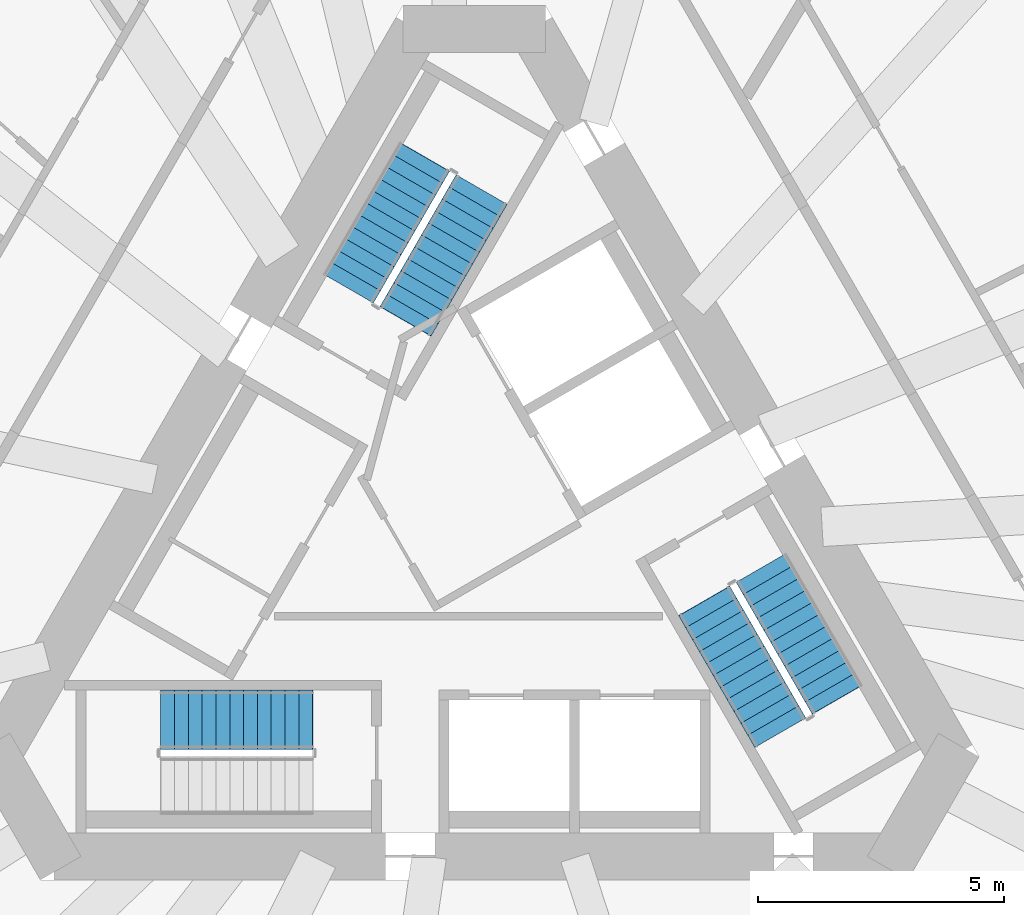
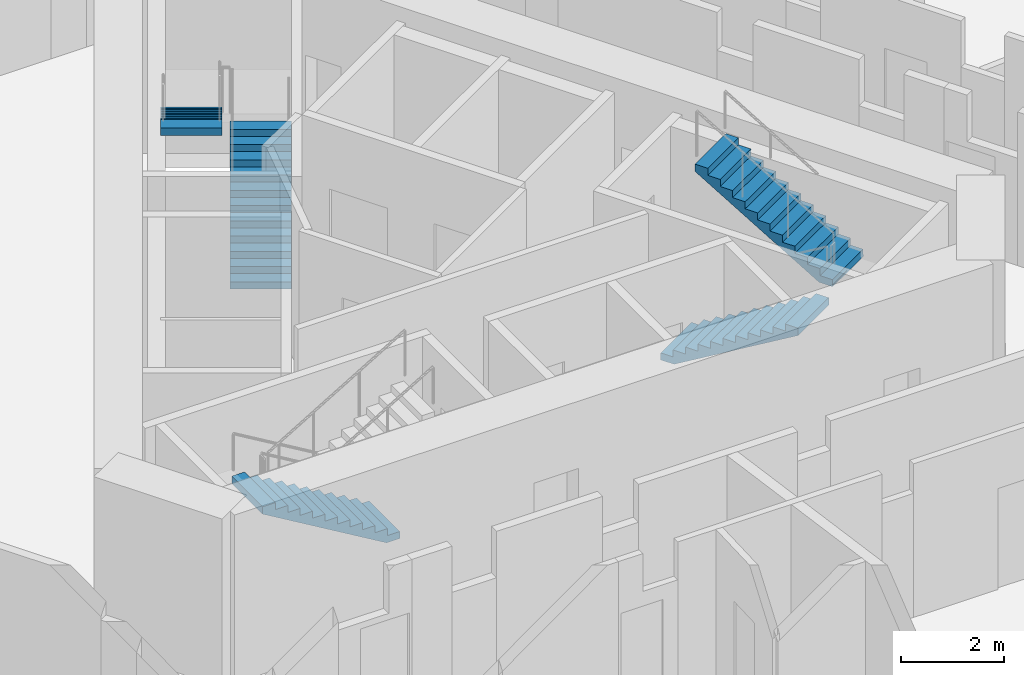
# One storey, part 10 of 13: 5 stair flights, 3 elements without a shape of their own.
"""IFC4 building model written with IfcOpenShell, lengths in metres."""

from ifc_helpers import new_model, si_unit, direction, frame, origin, place, context, subcontext, project, spatial, polyline, outline, extrude, material, layer, layer_set, type_object, element, aggregate, save


model = new_model("IFC4")

# Units and contexts
model_context = context("Model", 3, precision=1e-05, world=origin(), true_north=direction((0.0, 1.0)))
body_context = subcontext(model_context, "Body", "Model", "MODEL_VIEW")
ifc_project = project(units=[si_unit("LENGTHUNIT", "METRE"), si_unit("AREAUNIT", "SQUARE_METRE"), si_unit("VOLUMEUNIT", "CUBIC_METRE"), si_unit("PLANEANGLEUNIT", "RADIAN"), si_unit("MASSUNIT", "GRAM", prefix="KILO")], contexts=[model_context])

# Site, building, storey
site_placement = place(None, origin())
site = spatial("IfcSite", under=ifc_project, at=site_placement, CompositionType="ELEMENT")
building_placement = place(site_placement, origin())
building = spatial("IfcBuilding", under=site, at=building_placement, Name="Tramontana Tower", CompositionType="ELEMENT")
storey_placement = place(building_placement, frame((0.0, 0.0, 108.39990234375)))
storey = spatial("IfcBuildingStorey", under=building, at=storey_placement, Name="L24", CompositionType="ELEMENT", Elevation=108.39990234375)

# Stair, stair flights
ifc_material_1 = material(Name="Concrete 40 MPa", Category="concrete")
stair_type = type_object("IfcStairType", Name="EXIT STAIR 24 RISERS", PredefinedType="HALF_TURN_STAIR", material=ifc_material_1)
stair_1_placement = place(storey_placement, origin())
stair_1 = element("IfcStair", 1, at=stair_1_placement, inside=storey, type_object=stair_type, Name="L24 Exit stair ST1", PredefinedType="HALF_TURN_STAIR")
ifc_material_2 = material(Name="Concrete 40 MPa", Category="concrete")
ifc_layer = layer(ifc_material_2, 0.14990234375)
ifc_layer_set = layer_set([ifc_layer], Name="EXIT STAIR FLIGHT")
stair_flight_type = type_object("IfcStairFlightType", Name="EXIT STAIR FLIGHT", PredefinedType="STRAIGHT", material=ifc_layer_set)
stair_flight_1_placement = place(storey_placement, frame((-1.39111328125, 4.590576171875, 0.0), z_axis=(0.0, 0.0, 1.0), x_axis=(0.5, 0.866025403784, 0.0)))
stair_flight_1 = element("IfcStairFlight", 2, at=stair_flight_1_placement, type_object=stair_flight_type, Name="ST1 flight 1", NumberOfRisers=12, NumberOfTreads=11, PredefinedType="STRAIGHT", RiserHeight=0.166666667, TreadLength=0.28, context=body_context, shape_type="SweptSolid", body=[
    extrude(outline(polyline([(-0.006103515625, 0.0), (-0.006103515625, 0.0400390625), (0.0, 0.0400390625), (0.0, 0.166748046875), (0.280029296875, 0.166748046875), (0.280029296875, 0.333251953125), (0.56005859375, 0.333251953125), (0.56005859375, 0.5), (0.840087890625, 0.5), (0.840087890625, 0.666748046875), (1.1201171875, 0.666748046875), (1.1201171875, 0.833251953125), (1.39990234375, 0.833251953125), (1.39990234375, 1.0), (1.679931640625, 1.0), (1.679931640625, 1.166748046875), (1.9599609375, 1.166748046875), (1.9599609375, 1.333251953125), (2.239990234375, 1.333251953125), (2.239990234375, 1.5), (2.52001953125, 1.5), (2.52001953125, 1.666748046875), (2.800048828125, 1.666748046875), (2.800048828125, 1.833251953125), (3.080078125, 1.833251953125), (3.0859375, 1.833251953125), (3.0859375, 1.658935546875), (0.299072265625, 0.0), (-0.006103515625, 0.0)])), frame((0.0, 0.60009765625, 0.0), z_axis=(0.0, -1.0, 0.0), x_axis=(1.0, 0.0, 0.0)), (0.0, 0.0, 1.0), 1.199951171875),
])
stair_flight_2_placement = place(storey_placement, frame((-1.020263671875, 7.932861328125, 2.0), z_axis=(0.0, 0.0, 1.0), x_axis=(-0.5, -0.866025403784, 0.0)))
stair_flight_2 = element("IfcStairFlight", 3, at=stair_flight_2_placement, type_object=stair_flight_type, Name="ST1 flight 2", NumberOfRisers=12, NumberOfTreads=11, PredefinedType="STRAIGHT", RiserHeight=0.166666667, TreadLength=0.28, context=body_context, shape_type="SweptSolid", body=[
    extrude(outline(polyline([(-0.006103515625, 0.0), (-0.006103515625, 0.0400390625), (0.0, 0.0400390625), (0.0, 0.166748046875), (0.280029296875, 0.166748046875), (0.280029296875, 0.333251953125), (0.56005859375, 0.333251953125), (0.56005859375, 0.5), (0.840087890625, 0.5), (0.840087890625, 0.666748046875), (1.1201171875, 0.666748046875), (1.1201171875, 0.833251953125), (1.39990234375, 0.833251953125), (1.39990234375, 1.0), (1.679931640625, 1.0), (1.679931640625, 1.166748046875), (1.9599609375, 1.166748046875), (1.9599609375, 1.333251953125), (2.239990234375, 1.333251953125), (2.239990234375, 1.5), (2.52001953125, 1.5), (2.52001953125, 1.666748046875), (2.800048828125, 1.666748046875), (2.800048828125, 1.833251953125), (3.080078125, 1.833251953125), (3.0859375, 1.833251953125), (3.0859375, 1.658935546875), (0.299072265625, 0.0), (-0.006103515625, 0.0)])), frame((0.0, 0.60009765625, 0.0), z_axis=(0.0, -1.0, 0.0), x_axis=(1.0, 0.0, 0.0)), (0.0, 0.0, 1.0), 1.199951171875),
])
aggregate(stair_1, [stair_flight_1, stair_flight_2])

# Stair, stair flight
stair_2_placement = place(storey_placement, origin())
stair_2 = element("IfcStair", 4, at=stair_2_placement, inside=storey, type_object=stair_type, Name="L24 Exit stair ST2", PredefinedType="HALF_TURN_STAIR")
stair_flight_3_placement = place(storey_placement, frame((-3.280029296875, -3.5, 0.0), z_axis=(0.0, 0.0, 1.0), x_axis=(-1.0, 0.0, 0.0)))
stair_flight_3 = element("IfcStairFlight", 5, at=stair_flight_3_placement, type_object=stair_flight_type, Name="ST2 flight 1", NumberOfRisers=12, NumberOfTreads=11, PredefinedType="STRAIGHT", RiserHeight=0.166666667, TreadLength=0.28, context=body_context, shape_type="SweptSolid", body=[
    extrude(outline(polyline([(-0.006103515625, 0.0), (-0.006103515625, 0.0400390625), (0.0, 0.0400390625), (0.0, 0.166748046875), (0.280029296875, 0.166748046875), (0.280029296875, 0.333251953125), (0.56005859375, 0.333251953125), (0.56005859375, 0.5), (0.840087890625, 0.5), (0.840087890625, 0.666748046875), (1.1201171875, 0.666748046875), (1.1201171875, 0.833251953125), (1.39990234375, 0.833251953125), (1.39990234375, 1.0), (1.679931640625, 1.0), (1.679931640625, 1.166748046875), (1.9599609375, 1.166748046875), (1.9599609375, 1.333251953125), (2.239990234375, 1.333251953125), (2.239990234375, 1.5), (2.52001953125, 1.5), (2.52001953125, 1.666748046875), (2.800048828125, 1.666748046875), (2.800048828125, 1.833251953125), (3.080078125, 1.833251953125), (3.0859375, 1.833251953125), (3.0859375, 1.658935546875), (0.299072265625, 0.0), (-0.006103515625, 0.0)])), frame((0.0, 0.60009765625, 0.0), z_axis=(0.0, -1.0, 0.0), x_axis=(1.0, 0.0, 0.0)), (0.0, 0.0, 1.0), 1.199951171875),
])
aggregate(stair_2, [stair_flight_3])

# Stair, stair flights
stair_3_placement = place(storey_placement, origin())
stair_3 = element("IfcStair", 6, at=stair_3_placement, inside=storey, type_object=stair_type, Name="L24 Exit stair ST3", PredefinedType="HALF_TURN_STAIR")
stair_flight_4_placement = place(storey_placement, frame((4.671142578125, -1.090576171875, 0.0), z_axis=(0.0, 0.0, 1.0), x_axis=(0.5, -0.866025403784, 0.0)))
stair_flight_4 = element("IfcStairFlight", 7, at=stair_flight_4_placement, type_object=stair_flight_type, Name="ST3 flight 1", NumberOfRisers=12, NumberOfTreads=11, PredefinedType="STRAIGHT", RiserHeight=0.166666667, TreadLength=0.28, context=body_context, shape_type="SweptSolid", body=[
    extrude(outline(polyline([(-0.006103515625, 0.0), (-0.006103515625, 0.0400390625), (0.0, 0.0400390625), (0.0, 0.166748046875), (0.280029296875, 0.166748046875), (0.280029296875, 0.333251953125), (0.56005859375, 0.333251953125), (0.56005859375, 0.5), (0.840087890625, 0.5), (0.840087890625, 0.666748046875), (1.1201171875, 0.666748046875), (1.1201171875, 0.833251953125), (1.39990234375, 0.833251953125), (1.39990234375, 1.0), (1.679931640625, 1.0), (1.679931640625, 1.166748046875), (1.9599609375, 1.166748046875), (1.9599609375, 1.333251953125), (2.239990234375, 1.333251953125), (2.239990234375, 1.5), (2.52001953125, 1.5), (2.52001953125, 1.666748046875), (2.800048828125, 1.666748046875), (2.800048828125, 1.833251953125), (3.080078125, 1.833251953125), (3.0859375, 1.833251953125), (3.0859375, 1.658935546875), (0.299072265625, 0.0), (-0.006103515625, 0.0)])), frame((0.0, 0.60009765625, 0.0), z_axis=(0.0, -1.0, 0.0), x_axis=(1.0, 0.0, 0.0)), (0.0, 0.0, 1.0), 1.199951171875),
])
stair_flight_5_placement = place(storey_placement, frame((7.380126953125, -3.0830078125, 2.0), z_axis=(0.0, 0.0, 1.0), x_axis=(-0.5, 0.866025403784, 0.0)))
stair_flight_5 = element("IfcStairFlight", 8, at=stair_flight_5_placement, type_object=stair_flight_type, Name="ST3 flight 2", NumberOfRisers=12, NumberOfTreads=11, PredefinedType="STRAIGHT", RiserHeight=0.166666667, TreadLength=0.28, context=body_context, shape_type="SweptSolid", body=[
    extrude(outline(polyline([(-0.006103515625, 0.0), (-0.006103515625, 0.0400390625), (0.0, 0.0400390625), (0.0, 0.166748046875), (0.280029296875, 0.166748046875), (0.280029296875, 0.333251953125), (0.56005859375, 0.333251953125), (0.56005859375, 0.5), (0.840087890625, 0.5), (0.840087890625, 0.666748046875), (1.1201171875, 0.666748046875), (1.1201171875, 0.833251953125), (1.39990234375, 0.833251953125), (1.39990234375, 1.0), (1.679931640625, 1.0), (1.679931640625, 1.166748046875), (1.9599609375, 1.166748046875), (1.9599609375, 1.333251953125), (2.239990234375, 1.333251953125), (2.239990234375, 1.5), (2.52001953125, 1.5), (2.52001953125, 1.666748046875), (2.800048828125, 1.666748046875), (2.800048828125, 1.833251953125), (3.080078125, 1.833251953125), (3.0859375, 1.833251953125), (3.0859375, 1.658935546875), (0.299072265625, 0.0), (-0.006103515625, 0.0)])), frame((0.0, 0.60009765625, 0.0), z_axis=(0.0, -1.0, 0.0), x_axis=(1.0, 0.0, 0.0)), (0.0, 0.0, 1.0), 1.199951171875),
])
aggregate(stair_3, [stair_flight_4, stair_flight_5])

save(model, "model.ifc")
